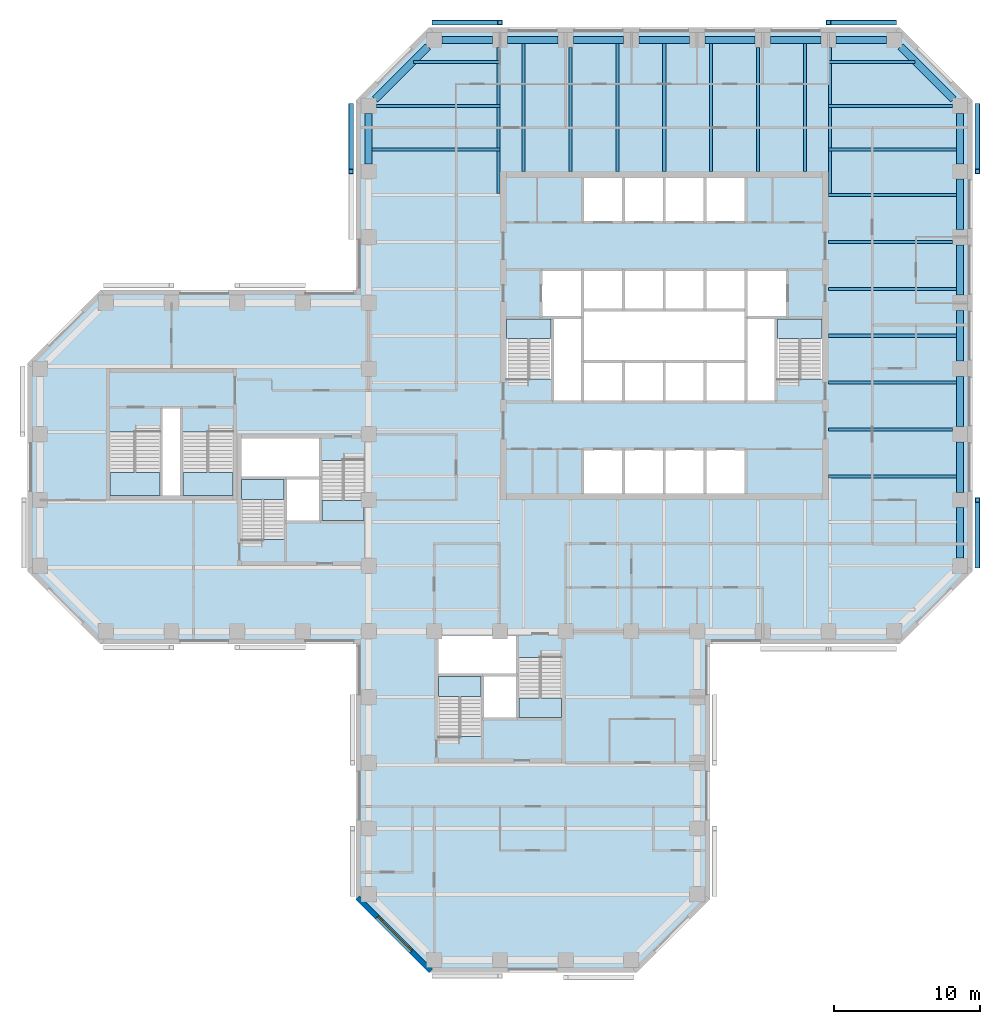
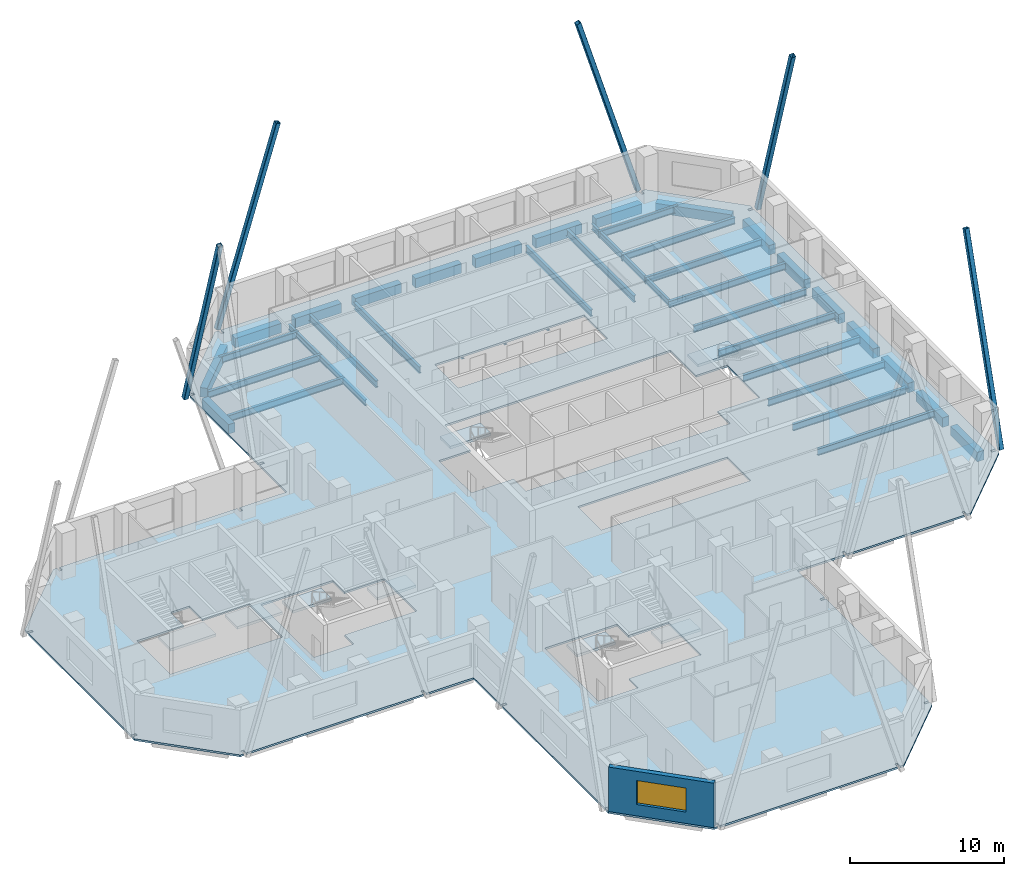
# One storey, part 2 of 10: 39 beams, 9 slabs, 5 members, 1 wall, 1 window, 1 opening, 8 elements without a shape of their own.
"""IFC4 building model written with IfcOpenShell, lengths in metres."""

import ifcopenshell
import ifcopenshell.guid

model = None  # the IFC model being written
_history = None  # IfcOwnerHistory: only IFC2X3 demands one
_inside = {}  # id of a spatial element -> (the spatial element, [elements in it])
_under = {}  # id of a project, library or spatial element -> (it, [spatial elements below it])
_declared = {}  # id of a project -> (the project, [libraries it declares])
_typed = {}  # id of a type object -> (the type object, [elements of that type])
_made_of = {}  # id of a material, layer set ... -> (it, [elements and type objects made of it])


def new_model(schema):
    """Start an empty IFC model of exactly this schema.

    Asked for "IFC4X3", IfcOpenShell would pick the latest addendum, in which some entities
    have other attributes; the version numbers below select the first issue.
    IFC2X3 requires an IfcOwnerHistory on every rooted entity: one is made here for all.
    """
    global model, _history
    if schema == "IFC4X3":
        model = ifcopenshell.file(schema_version=(4, 3, 0, 0))
    else:
        model = ifcopenshell.file(schema=schema)
    _inside.clear()
    _under.clear()
    _declared.clear()
    _typed.clear()
    _made_of.clear()
    _history = None
    if model.schema == "IFC2X3":
        org = make("IfcOrganization", Name="unknown")
        user = make(
            "IfcPersonAndOrganization",
            ThePerson=make("IfcPerson", FamilyName="unknown"),
            TheOrganization=org,
        )
        app = make(
            "IfcApplication",
            ApplicationDeveloper=org,
            Version="unknown",
            ApplicationFullName="unknown",
            ApplicationIdentifier="unknown",
        )
        _history = make(
            "IfcOwnerHistory",
            OwningUser=user,
            OwningApplication=app,
            ChangeAction="ADDED",
            CreationDate=0,
        )
    return model


def make(cls, **values):
    """One entity of the class cls with the attributes given. An attribute that is None is left unset."""
    return model.create_entity(
        cls, **{name: value for name, value in values.items() if value is not None}
    )


def rooted(cls, **values):
    """An entity with a GlobalId (a new one), such as an element, a storey or a relation."""
    return make(cls, GlobalId=ifcopenshell.guid.new(), OwnerHistory=_history, **values)


def si_unit(unit_type, name, prefix=None):
    """IfcSIUnit, for example si_unit("LENGTHUNIT", "METRE", prefix="MILLI")."""
    return make("IfcSIUnit", UnitType=unit_type, Prefix=prefix, Name=name)


def assignment(units):
    """IfcUnitAssignment: the units of a project."""
    return None if units is None else make("IfcUnitAssignment", Units=units)


def point(xyz):
    """IfcCartesianPoint."""
    return None if xyz is None else make("IfcCartesianPoint", Coordinates=xyz)


def direction(xyz):
    """IfcDirection."""
    return None if xyz is None else make("IfcDirection", DirectionRatios=xyz)


def frame(location, z_axis=None, x_axis=None):
    """IfcAxis2Placement3D, a coordinate frame: its origin and axes. An axis left out is left unset."""
    return make(
        "IfcAxis2Placement3D",
        Location=point(location),
        Axis=direction(z_axis),
        RefDirection=direction(x_axis),
    )


def frame_2d(location, x_axis=None):
    """IfcAxis2Placement2D, a coordinate frame in the plane: its origin and x axis."""
    return make(
        "IfcAxis2Placement2D", Location=point(location), RefDirection=direction(x_axis)
    )


def origin():
    """The frame at (0, 0, 0) with its axes left unset."""
    return frame((0.0, 0.0, 0.0))


def origin_2d():
    """The frame at (0, 0) in the plane with its x axis left unset."""
    return frame_2d((0.0, 0.0))


def place(relative_to, where):
    """IfcLocalPlacement: puts the frame where relative to a parent placement (None: the world)."""
    return make(
        "IfcLocalPlacement", PlacementRelTo=relative_to, RelativePlacement=where
    )


def context(
    kind, dimensions, precision=None, world=None, true_north=None, identifier=None
):
    """IfcGeometricRepresentationContext, for example the 3D "Model" context."""
    return make(
        "IfcGeometricRepresentationContext",
        ContextIdentifier=identifier,
        ContextType=kind,
        CoordinateSpaceDimension=dimensions,
        Precision=precision,
        WorldCoordinateSystem=world,
        TrueNorth=true_north,
    )


def subcontext(parent, identifier, kind, view, scale=None):
    """IfcGeometricRepresentationSubContext, for example "Body" below "Model"."""
    return make(
        "IfcGeometricRepresentationSubContext",
        ContextIdentifier=identifier,
        ContextType=kind,
        ParentContext=parent,
        TargetScale=scale,
        TargetView=view,
    )


def project(units=None, contexts=None):
    """IfcProject with its units and contexts."""
    return rooted(
        "IfcProject",
        Name="project",
        RepresentationContexts=contexts,
        UnitsInContext=assignment(units),
    )


def spatial(cls, under=None, at=None, **own):
    """A site, building, storey or space (cls), placed at a placement, below another one or the project."""
    s = rooted(cls, ObjectPlacement=at, **own)
    if under is not None:
        _under.setdefault(under.id(), (under, []))[1].append(s)
    return s


def polyline(points):
    """IfcPolyline through the points."""
    return make("IfcPolyline", Points=[point(p) for p in points])


def profile(cls, at=None, kind="AREA", **sizes):
    """A parametric profile (cls). Its sizes go by their IFC names, for example OverallWidth=200.0."""
    return make(cls, ProfileType=kind, Position=at, **sizes)


def rectangle(**sizes):
    """IfcRectangleProfileDef."""
    return profile("IfcRectangleProfileDef", **sizes)


def hollow_rectangle(**sizes):
    """IfcRectangleHollowProfileDef."""
    return profile("IfcRectangleHollowProfileDef", **sizes)


def i_section(**sizes):
    """IfcIShapeProfileDef."""
    return profile("IfcIShapeProfileDef", **sizes)


def outline(outer, holes=None, kind="AREA"):
    """IfcArbitraryClosedProfileDef: a profile drawn as a closed curve; with holes, ...WithVoids."""
    if holes is None:
        return make("IfcArbitraryClosedProfileDef", ProfileType=kind, OuterCurve=outer)
    return make(
        "IfcArbitraryProfileDefWithVoids",
        ProfileType=kind,
        OuterCurve=outer,
        InnerCurves=holes,
    )


def extrude(swept, where, along, depth):
    """IfcExtrudedAreaSolid: the profile swept, set in the frame where, extruded along a direction by depth."""
    return make(
        "IfcExtrudedAreaSolid",
        SweptArea=swept,
        Position=where,
        ExtrudedDirection=direction(along),
        Depth=depth,
    )


def shape(context_of_items, identifier, shape_type, items):
    """IfcShapeRepresentation: the items that make up one representation, for example the "Body"."""
    return make(
        "IfcShapeRepresentation",
        ContextOfItems=context_of_items,
        RepresentationIdentifier=identifier,
        RepresentationType=shape_type,
        Items=items,
    )


def material(Name=None, Category=None):
    """IfcMaterial."""
    return make("IfcMaterial", Name=Name, Category=Category)


def layer(
    of_material, thickness, ventilated=None, Name=None, Category=None, Priority=None
):
    """IfcMaterialLayer: one layer of a wall or slab, of a material (None: an air gap)."""
    return make(
        "IfcMaterialLayer",
        Material=of_material,
        LayerThickness=thickness,
        IsVentilated=ventilated,
        Name=Name,
        Category=Category,
        Priority=Priority,
    )


def layer_set(layers, Name=None):
    """IfcMaterialLayerSet."""
    return make("IfcMaterialLayerSet", MaterialLayers=layers, LayerSetName=Name)


def constituent(of_material, Name=None, Category=None, fraction=None):
    """IfcMaterialConstituent: one of the materials an element consists of."""
    return make(
        "IfcMaterialConstituent",
        Name=Name,
        Material=of_material,
        Fraction=fraction,
        Category=Category,
    )


def constituent_set(constituents=None, Name=None):
    """IfcMaterialConstituentSet."""
    return make(
        "IfcMaterialConstituentSet", Name=Name, MaterialConstituents=constituents
    )


def material_profile(
    of_material, cross_section, Name=None, Category=None, Priority=None
):
    """IfcMaterialProfile: a cross section and its material."""
    return make(
        "IfcMaterialProfile",
        Name=Name,
        Material=of_material,
        Profile=cross_section,
        Priority=Priority,
        Category=Category,
    )


def profile_set(profiles, Name=None, composite=None):
    """IfcMaterialProfileSet."""
    return make(
        "IfcMaterialProfileSet",
        Name=Name,
        MaterialProfiles=profiles,
        CompositeProfile=composite,
    )


def made_of(thing, what):
    """Note that an element or type object is made of a material, layer set ...; save() writes the relation."""
    if what is not None:
        _made_of.setdefault(what.id(), (what, []))[1].append(thing)
    return thing


def type_object(cls, material=None, **own):
    """A type object (cls), such as IfcWallType, which elements share."""
    return made_of(rooted(cls, **own), material)


def element(
    cls,
    number,
    at=None,
    inside=None,
    cuts=None,
    type_object=None,
    material=None,
    context=None,
    identifier="Body",
    shape_type=None,
    held_by="IfcProductDefinitionShape",
    body=None,
    shapes=None,
    **own,
):
    """One element of the class cls, such as IfcWall. Its Tag is "e" and its number.

    at: its placement. inside: the storey or other place that contains it. cuts: it is an
    opening in that element (IfcRelVoidsElement). A single representation is given by context,
    identifier, shape_type and body (its items); several are given by shapes. held_by: the class
    of the entity that holds the representations. save() writes the other relations.
    """
    e = rooted(cls, Tag="e%d" % number, ObjectPlacement=at, **own)
    if body is not None:
        shapes = [shape(context, identifier, shape_type, body)]
    if shapes is not None:
        e.Representation = make(held_by, Representations=shapes)
    if inside is not None:
        _inside.setdefault(inside.id(), (inside, []))[1].append(e)
    if cuts is not None:
        rooted(
            "IfcRelVoidsElement", RelatingBuildingElement=cuts, RelatedOpeningElement=e
        )
    if type_object is not None:
        _typed.setdefault(type_object.id(), (type_object, []))[1].append(e)
    return made_of(e, material)


def fill(opening, filler):
    """IfcRelFillsElement: the door or window that sits in an opening."""
    return rooted(
        "IfcRelFillsElement",
        RelatingOpeningElement=opening,
        RelatedBuildingElement=filler,
    )


def aggregate(whole, parts):
    """IfcRelAggregates: a whole, such as a stair, and the parts it consists of."""
    return rooted("IfcRelAggregates", RelatingObject=whole, RelatedObjects=parts)


def save(model, path):
    """Write the relations noted so far, then the file.

    IfcRelAggregates (storeys below a building ...), IfcRelContainedInSpatialStructure (elements
    in a storey), IfcRelDefinesByType, IfcRelAssociatesMaterial and IfcRelDeclares: one each for
    every whole, place, type object, material and project.
    """
    for whole, parts in _under.values():
        aggregate(whole, parts)
    for where, things in _inside.values():
        rooted(
            "IfcRelContainedInSpatialStructure",
            RelatedElements=things,
            RelatingStructure=where,
        )
    for kind, things in _typed.values():
        rooted("IfcRelDefinesByType", RelatedObjects=things, RelatingType=kind)
    for what, things in _made_of.values():
        rooted("IfcRelAssociatesMaterial", RelatedObjects=things, RelatingMaterial=what)
    for by, libraries in _declared.values():
        rooted("IfcRelDeclares", RelatingContext=by, RelatedDefinitions=libraries)
    model.write(path)


model = new_model("IFC4")

# Units and contexts
model_context = context("Model", 3, precision=1e-05, world=origin(), true_north=direction((0.0, 1.0)))
body_context = subcontext(model_context, "Body", "Model", "MODEL_VIEW")
ifc_project = project(units=[si_unit("LENGTHUNIT", "METRE"), si_unit("AREAUNIT", "SQUARE_METRE"), si_unit("VOLUMEUNIT", "CUBIC_METRE"), si_unit("PLANEANGLEUNIT", "RADIAN"), si_unit("MASSUNIT", "GRAM", prefix="KILO")], contexts=[model_context])

# Site, building, storey
site_placement = place(None, origin())
site = spatial("IfcSite", under=ifc_project, at=site_placement, CompositionType="ELEMENT")
building_placement = place(site_placement, origin())
building = spatial("IfcBuilding", under=site, at=building_placement, Name="Quoin Convention Tower", CompositionType="ELEMENT")
storey_placement = place(building_placement, frame((0.0, 0.0, 97.39990234375)))
storey = spatial("IfcBuildingStorey", under=building, at=storey_placement, Name="L25", CompositionType="ELEMENT", Elevation=97.39990234375)

# Beams
ifc_material_1 = material(Name="Steel Grade 300", Category="steel")
ifc_material_profile_1 = material_profile(ifc_material_1, i_section(OverallWidth=0.18994140625, OverallDepth=0.4541015625, WebThickness=0.008544921875, FlangeThickness=0.0126953125, FilletRadius=0.011474609375, at=origin_2d()), Name="460UB67.1")
ifc_profile_set_1 = profile_set([ifc_material_profile_1], Name="Steel Grade 300")
beam_type_1 = type_object("IfcBeamType", Name="460UB67.1", PredefinedType="BEAM", material=ifc_profile_set_1)
for number, where, z_axis, x_axis, name in (
    (1, (44.8955078125, 80.47509765625, -0.376953125), (0.0, -1.0, 0.0), (1.0, 0.0, 0.0), "gir-L25-T1NW"),
    (2, (67.6044921875, 80.47509765625, -0.376953125), (0.0, -1.0, 0.0), (1.0, 0.0, 0.0), "gir-L25-T1NE"),
):
    element("IfcBeam", number, at=place(storey_placement, frame(where, z_axis=z_axis, x_axis=x_axis)), inside=storey, type_object=beam_type_1, Name=name, PredefinedType="BEAM", context=body_context, shape_type="SweptSolid", body=[
        extrude(i_section(OverallWidth=0.18994140625, OverallDepth=0.4541015625, WebThickness=0.008544921875, FlangeThickness=0.0126953125, FilletRadius=0.011474609375, at=origin_2d()), origin(), (0.0, 0.0, 1.0), 9.977783203125),
    ])
ifc_material_profile_2 = material_profile(ifc_material_1, i_section(OverallWidth=0.208984375, OverallDepth=0.528076171875, WebThickness=0.009521484375, FlangeThickness=0.01318359375, FilletRadius=0.013916015625, at=origin_2d()), Name="530UB82.0")
ifc_profile_set_2 = profile_set([ifc_material_profile_2], Name="Steel Grade 300")
beam_type_2 = type_object("IfcBeamType", Name="530UB82.0", PredefinedType="BEAM", material=ifc_profile_set_2)
beam_1_placement = place(storey_placement, frame((67.5, 51.107177734375, -0.413818359375), z_axis=(1.0, 0.0, 0.0), x_axis=(0.0, 1.0, 0.0)))
element("IfcBeam", 3, at=beam_1_placement, inside=storey, type_object=beam_type_2, Name="bm-L25-T1E0", PredefinedType="BEAM", context=body_context, shape_type="SweptSolid", body=[
    extrude(i_section(OverallWidth=0.208984375, OverallDepth=0.528076171875, WebThickness=0.009521484375, FlangeThickness=0.01318359375, FilletRadius=0.013916015625, at=origin_2d()), origin(), (0.0, 0.0, 1.0), 8.75),
])
beam_2_placement = place(storey_placement, frame((67.5, 54.3212890625, -0.413818359375), z_axis=(1.0, 0.0, 0.0), x_axis=(0.0, 1.0, 0.0)))
element("IfcBeam", 4, at=beam_2_placement, inside=storey, type_object=beam_type_2, Name="bm-L25-T1E1", PredefinedType="BEAM", context=body_context, shape_type="SweptSolid", body=[
    extrude(i_section(OverallWidth=0.208984375, OverallDepth=0.528076171875, WebThickness=0.009521484375, FlangeThickness=0.01318359375, FilletRadius=0.013916015625, at=origin_2d()), origin(), (0.0, 0.0, 1.0), 8.47509765625),
])
for number, where, z_axis, x_axis, name in (
    (5, (67.5, 57.53564453125, -0.413818359375), (1.0, 0.0, 0.0), (0.0, 1.0, 0.0), "bm-L25-T1E2"),
    (6, (67.5, 60.75, -0.413818359375), (1.0, 0.0, 0.0), (0.0, 1.0, 0.0), "bm-L25-T1E3"),
    (7, (67.5, 63.96435546875, -0.413818359375), (1.0, 0.0, 0.0), (0.0, 1.0, 0.0), "bm-L25-T1E4"),
):
    element("IfcBeam", number, at=place(storey_placement, frame(where, z_axis=z_axis, x_axis=x_axis)), inside=storey, type_object=beam_type_2, Name=name, PredefinedType="BEAM", context=body_context, shape_type="SweptSolid", body=[
        extrude(i_section(OverallWidth=0.208984375, OverallDepth=0.528076171875, WebThickness=0.009521484375, FlangeThickness=0.01318359375, FilletRadius=0.013916015625, at=origin_2d()), origin(), (0.0, 0.0, 1.0), 8.75),
    ])
beam_3_placement = place(storey_placement, frame((67.5, 67.1787109375, -0.413818359375), z_axis=(1.0, 0.0, 0.0), x_axis=(0.0, 1.0, 0.0)))
element("IfcBeam", 8, at=beam_3_placement, inside=storey, type_object=beam_type_2, Name="bm-L25-T1E5", PredefinedType="BEAM", context=body_context, shape_type="SweptSolid", body=[
    extrude(i_section(OverallWidth=0.208984375, OverallDepth=0.528076171875, WebThickness=0.009521484375, FlangeThickness=0.01318359375, FilletRadius=0.013916015625, at=origin_2d()), origin(), (0.0, 0.0, 1.0), 8.47509765625),
])
for number, where, z_axis, x_axis, name in (
    (9, (67.5, 70.392822265625, -0.413818359375), (1.0, 0.0, 0.0), (0.0, 1.0, 0.0), "bm-L25-T1E6"),
    (10, (46.607177734375, 72.0, -0.413818359375), (0.0, 1.0, 0.0), (-1.0, 0.0, 0.0), "bm-L25-T1N0"),
):
    element("IfcBeam", number, at=place(storey_placement, frame(where, z_axis=z_axis, x_axis=x_axis)), inside=storey, type_object=beam_type_2, Name=name, PredefinedType="BEAM", context=body_context, shape_type="SweptSolid", body=[
        extrude(i_section(OverallWidth=0.208984375, OverallDepth=0.528076171875, WebThickness=0.009521484375, FlangeThickness=0.01318359375, FilletRadius=0.013916015625, at=origin_2d()), origin(), (0.0, 0.0, 1.0), 8.75),
    ])
beam_4_placement = place(storey_placement, frame((49.8212890625, 72.0, -0.413818359375), z_axis=(0.0, 1.0, 0.0), x_axis=(-1.0, 0.0, 0.0)))
element("IfcBeam", 11, at=beam_4_placement, inside=storey, type_object=beam_type_2, Name="bm-L25-T1N1", PredefinedType="BEAM", context=body_context, shape_type="SweptSolid", body=[
    extrude(i_section(OverallWidth=0.208984375, OverallDepth=0.528076171875, WebThickness=0.009521484375, FlangeThickness=0.01318359375, FilletRadius=0.013916015625, at=origin_2d()), origin(), (0.0, 0.0, 1.0), 8.47509765625),
])
for number, where, z_axis, x_axis, name in (
    (12, (53.03564453125, 72.0, -0.413818359375), (0.0, 1.0, 0.0), (-1.0, 0.0, 0.0), "bm-L25-T1N2"),
    (13, (56.25, 72.0, -0.413818359375), (0.0, 1.0, 0.0), (-1.0, 0.0, 0.0), "bm-L25-T1N3"),
    (14, (59.46435546875, 72.0, -0.413818359375), (0.0, 1.0, 0.0), (-1.0, 0.0, 0.0), "bm-L25-T1N4"),
):
    element("IfcBeam", number, at=place(storey_placement, frame(where, z_axis=z_axis, x_axis=x_axis)), inside=storey, type_object=beam_type_2, Name=name, PredefinedType="BEAM", context=body_context, shape_type="SweptSolid", body=[
        extrude(i_section(OverallWidth=0.208984375, OverallDepth=0.528076171875, WebThickness=0.009521484375, FlangeThickness=0.01318359375, FilletRadius=0.013916015625, at=origin_2d()), origin(), (0.0, 0.0, 1.0), 8.75),
    ])
beam_5_placement = place(storey_placement, frame((62.6787109375, 72.0, -0.413818359375), z_axis=(0.0, 1.0, 0.0), x_axis=(-1.0, 0.0, 0.0)))
element("IfcBeam", 15, at=beam_5_placement, inside=storey, type_object=beam_type_2, Name="bm-L25-T1N5", PredefinedType="BEAM", context=body_context, shape_type="SweptSolid", body=[
    extrude(i_section(OverallWidth=0.208984375, OverallDepth=0.528076171875, WebThickness=0.009521484375, FlangeThickness=0.01318359375, FilletRadius=0.013916015625, at=origin_2d()), origin(), (0.0, 0.0, 1.0), 8.47509765625),
])
beam_6_placement = place(storey_placement, frame((65.892822265625, 72.0, -0.413818359375), z_axis=(0.0, 1.0, 0.0), x_axis=(-1.0, 0.0, 0.0)))
element("IfcBeam", 16, at=beam_6_placement, inside=storey, type_object=beam_type_2, Name="bm-L25-T1N6", PredefinedType="BEAM", context=body_context, shape_type="SweptSolid", body=[
    extrude(i_section(OverallWidth=0.208984375, OverallDepth=0.528076171875, WebThickness=0.009521484375, FlangeThickness=0.01318359375, FilletRadius=0.013916015625, at=origin_2d()), origin(), (0.0, 0.0, 1.0), 8.75),
])
beam_7_placement = place(storey_placement, frame((39.072265625, 79.5, -0.413818359375), z_axis=(1.0, 0.0, 0.0), x_axis=(0.0, 1.0, 0.0)))
element("IfcBeam", 17, at=beam_7_placement, inside=storey, type_object=beam_type_2, Name="bm-L25-T1NW0", PredefinedType="BEAM", context=body_context, shape_type="SweptSolid", body=[
    extrude(i_section(OverallWidth=0.208984375, OverallDepth=0.528076171875, WebThickness=0.009521484375, FlangeThickness=0.01318359375, FilletRadius=0.013916015625, at=origin_2d()), origin(), (0.0, 0.0, 1.0), 5.927734375),
])
beam_8_placement = place(storey_placement, frame((36.52490234375, 76.5, -0.413818359375), z_axis=(1.0, 0.0, 0.0), x_axis=(0.0, 1.0, 0.0)))
element("IfcBeam", 18, at=beam_8_placement, inside=storey, type_object=beam_type_2, Name="bm-L25-T1NW1", PredefinedType="BEAM", context=body_context, shape_type="SweptSolid", body=[
    extrude(i_section(OverallWidth=0.208984375, OverallDepth=0.528076171875, WebThickness=0.009521484375, FlangeThickness=0.01318359375, FilletRadius=0.013916015625, at=origin_2d()), origin(), (0.0, 0.0, 1.0), 8.47509765625),
])
beam_9_placement = place(storey_placement, frame((36.25, 73.5, -0.413818359375), z_axis=(1.0, 0.0, 0.0), x_axis=(0.0, 1.0, 0.0)))
element("IfcBeam", 19, at=beam_9_placement, inside=storey, type_object=beam_type_2, Name="bm-L25-T1NW2", PredefinedType="BEAM", context=body_context, shape_type="SweptSolid", body=[
    extrude(i_section(OverallWidth=0.208984375, OverallDepth=0.528076171875, WebThickness=0.009521484375, FlangeThickness=0.01318359375, FilletRadius=0.013916015625, at=origin_2d()), origin(), (0.0, 0.0, 1.0), 8.75),
])
beam_10_placement = place(storey_placement, frame((67.5, 79.5, -0.413818359375), z_axis=(1.0, 0.0, 0.0), x_axis=(0.0, 1.0, 0.0)))
element("IfcBeam", 20, at=beam_10_placement, inside=storey, type_object=beam_type_2, Name="bm-L25-T1NE0", PredefinedType="BEAM", context=body_context, shape_type="SweptSolid", body=[
    extrude(i_section(OverallWidth=0.208984375, OverallDepth=0.528076171875, WebThickness=0.009521484375, FlangeThickness=0.01318359375, FilletRadius=0.013916015625, at=origin_2d()), origin(), (0.0, 0.0, 1.0), 5.927734375),
])
beam_11_placement = place(storey_placement, frame((67.5, 76.5, -0.413818359375), z_axis=(1.0, 0.0, 0.0), x_axis=(0.0, 1.0, 0.0)))
element("IfcBeam", 21, at=beam_11_placement, inside=storey, type_object=beam_type_2, Name="bm-L25-T1NE1", PredefinedType="BEAM", context=body_context, shape_type="SweptSolid", body=[
    extrude(i_section(OverallWidth=0.208984375, OverallDepth=0.528076171875, WebThickness=0.009521484375, FlangeThickness=0.01318359375, FilletRadius=0.013916015625, at=origin_2d()), origin(), (0.0, 0.0, 1.0), 8.47509765625),
])
beam_12_placement = place(storey_placement, frame((67.5, 73.5, -0.413818359375), z_axis=(1.0, 0.0, 0.0), x_axis=(0.0, 1.0, 0.0)))
element("IfcBeam", 22, at=beam_12_placement, inside=storey, type_object=beam_type_2, Name="bm-L25-T1NE2", PredefinedType="BEAM", context=body_context, shape_type="SweptSolid", body=[
    extrude(i_section(OverallWidth=0.208984375, OverallDepth=0.528076171875, WebThickness=0.009521484375, FlangeThickness=0.01318359375, FilletRadius=0.013916015625, at=origin_2d()), origin(), (0.0, 0.0, 1.0), 8.75),
])

# Members
ifc_material_2 = material(Name="Steel C450L0", Category="steel")
ifc_material_profile_3 = material_profile(ifc_material_2, hollow_rectangle(XDim=0.35009765625, YDim=0.35009765625, WallThickness=0.01611328125, InnerFilletRadius=0.02392578125, OuterFilletRadius=0.0400390625, at=origin_2d()), Name="350x350x16.0SHS")
ifc_profile_set_3 = profile_set([ifc_material_profile_3], Name="Steel C450L0")
member_type = type_object("IfcMemberType", Name="Exposed brace 350x350x16.0SHS", PredefinedType="BRACE", material=ifc_profile_set_3)
for number, where, z_axis, x_axis, name in (
    (23, (34.800048828125, 76.5, -0.074951171875), (0.0, -0.290903487189, 0.956752403259), (1.0, 0.0, 0.0), "brc-L25-36000_76500-36000_72000"),
    (24, (72.0, 82.199951171875, -0.074951171875), (-0.290903487189, 0.0, 0.956752403259), (0.0, -1.0, 0.0), "brc-L25-72000_81000-67500_81000"),
    (25, (40.5, 82.199951171875, -0.074951171875), (0.290903487189, 0.0, 0.956752403259), (0.0, 1.0, 0.0), "brc-L25-45000_81000-40500_81000"),
    (26, (77.699951171875, 45.0, -0.074951171875), (0.0, 0.290903487189, 0.956752403259), (-1.0, 0.0, 0.0), "brc-L25-76500_45000-76500_49500"),
    (27, (77.699951171875, 76.5, -0.074951171875), (0.0, -0.290903487189, 0.956752403259), (1.0, 0.0, 0.0), "brc-L25-76500_72000-76500_76500"),
):
    element("IfcMember", number, at=place(storey_placement, frame(where, z_axis=z_axis, x_axis=x_axis)), inside=storey, type_object=member_type, Name=name, PredefinedType="BRACE", context=body_context, shape_type="SweptSolid", body=[
        extrude(hollow_rectangle(XDim=0.35009765625, YDim=0.35009765625, WallThickness=0.01611328125, InnerFilletRadius=0.02392578125, OuterFilletRadius=0.0400390625, at=origin_2d()), origin(), (0.0, 0.0, 1.0), 15.468994140625),
    ])

# Beams
ifc_material_3 = material(Name="Concrete C65", Category="concrete")
ifc_material_profile_4 = material_profile(ifc_material_3, rectangle(XDim=0.5, YDim=0.75, at=origin_2d()), Name="RC 500x750")
ifc_profile_set_4 = profile_set([ifc_material_profile_4], Name="Concrete C65")
beam_type_3 = type_object("IfcBeamType", Name="RC 500x750 C65", PredefinedType="SPANDREL", material=ifc_profile_set_4)
for number, where, z_axis, x_axis, name in (
    (28, (76.5, 45.52490234375, -0.52490234375), (0.0, 1.0, 0.0), (-1.0, 0.0, 0.0), "spd-L25-76500_45000-76500_49500"),
    (29, (76.5, 50.02490234375, -0.52490234375), (0.0, 1.0, 0.0), (-1.0, 0.0, 0.0), "spd-L25-76500_49500-76500_54000"),
    (30, (76.5, 54.52490234375, -0.52490234375), (0.0, 1.0, 0.0), (-1.0, 0.0, 0.0), "spd-L25-76500_54000-76500_58500"),
    (31, (76.5, 59.02490234375, -0.52490234375), (0.0, 1.0, 0.0), (-1.0, 0.0, 0.0), "spd-L25-76500_58500-76500_63000"),
    (32, (76.5, 63.52490234375, -0.52490234375), (0.0, 1.0, 0.0), (-1.0, 0.0, 0.0), "spd-L25-76500_63000-76500_67500"),
    (33, (76.5, 68.02490234375, -0.52490234375), (0.0, 1.0, 0.0), (-1.0, 0.0, 0.0), "spd-L25-76500_67500-76500_72000"),
    (34, (76.5, 72.52490234375, -0.52490234375), (0.0, 1.0, 0.0), (-1.0, 0.0, 0.0), "spd-L25-76500_72000-76500_76500"),
):
    element("IfcBeam", number, at=place(storey_placement, frame(where, z_axis=z_axis, x_axis=x_axis)), inside=storey, type_object=beam_type_3, Name=name, PredefinedType="SPANDREL", context=body_context, shape_type="SweptSolid", body=[
        extrude(rectangle(XDim=0.5, YDim=0.75, at=origin_2d()), origin(), (0.0, 0.0, 1.0), 3.4501953125),
    ])
beam_13_placement = place(storey_placement, frame((76.059814453125, 76.940185546875, -0.52490234375), z_axis=(-0.707106781187, 0.707106781187, 0.0), x_axis=(-0.707106781187, -0.707106781187, 0.0)))
element("IfcBeam", 35, at=beam_13_placement, inside=storey, type_object=beam_type_3, Name="spd-L25-76500_76500-72000_81000", PredefinedType="SPANDREL", context=body_context, shape_type="SweptSolid", body=[
    extrude(rectangle(XDim=0.5, YDim=0.75, at=origin_2d()), origin(), (0.0, 0.0, 1.0), 5.118896484375),
])
for number, where, z_axis, x_axis, name in (
    (36, (71.47509765625, 81.0, -0.52490234375), (-1.0, 0.0, 0.0), (0.0, -1.0, 0.0), "spd-L25-72000_81000-67500_81000"),
    (37, (66.97509765625, 81.0, -0.52490234375), (-1.0, 0.0, 0.0), (0.0, -1.0, 0.0), "spd-L25-67500_81000-63000_81000"),
    (38, (62.47509765625, 81.0, -0.52490234375), (-1.0, 0.0, 0.0), (0.0, -1.0, 0.0), "spd-L25-63000_81000-58500_81000"),
    (39, (57.97509765625, 81.0, -0.52490234375), (-1.0, 0.0, 0.0), (0.0, -1.0, 0.0), "spd-L25-58500_81000-54000_81000"),
    (40, (53.47509765625, 81.0, -0.52490234375), (-1.0, 0.0, 0.0), (0.0, -1.0, 0.0), "spd-L25-54000_81000-49500_81000"),
    (41, (48.97509765625, 81.0, -0.52490234375), (-1.0, 0.0, 0.0), (0.0, -1.0, 0.0), "spd-L25-49500_81000-45000_81000"),
    (42, (44.47509765625, 81.0, -0.52490234375), (-1.0, 0.0, 0.0), (0.0, -1.0, 0.0), "spd-L25-45000_81000-40500_81000"),
):
    element("IfcBeam", number, at=place(storey_placement, frame(where, z_axis=z_axis, x_axis=x_axis)), inside=storey, type_object=beam_type_3, Name=name, PredefinedType="SPANDREL", context=body_context, shape_type="SweptSolid", body=[
        extrude(rectangle(XDim=0.5, YDim=0.75, at=origin_2d()), origin(), (0.0, 0.0, 1.0), 3.4501953125),
    ])
beam_14_placement = place(storey_placement, frame((40.059814453125, 80.559814453125, -0.52490234375), z_axis=(-0.707106781187, -0.707106781187, 0.0), x_axis=(0.707106781187, -0.707106781187, 0.0)))
element("IfcBeam", 43, at=beam_14_placement, inside=storey, type_object=beam_type_3, Name="spd-L25-40500_81000-36000_76500", PredefinedType="SPANDREL", context=body_context, shape_type="SweptSolid", body=[
    extrude(rectangle(XDim=0.5, YDim=0.75, at=origin_2d()), origin(), (0.0, 0.0, 1.0), 5.118896484375),
])
beam_15_placement = place(storey_placement, frame((36.0, 75.97509765625, -0.52490234375), z_axis=(0.0, -1.0, 0.0), x_axis=(1.0, 0.0, 0.0)))
element("IfcBeam", 44, at=beam_15_placement, inside=storey, type_object=beam_type_3, Name="spd-L25-36000_76500-36000_72000", PredefinedType="SPANDREL", context=body_context, shape_type="SweptSolid", body=[
    extrude(rectangle(XDim=0.5, YDim=0.75, at=origin_2d()), origin(), (0.0, 0.0, 1.0), 3.4501953125),
])

# Slab
ifc_material_4 = material(Name="Concrete C40", Category="concrete")
ifc_layer_1 = layer(ifc_material_4, 0.14990234375)
ifc_layer_set_1 = layer_set([ifc_layer_1], Name="Concrete C40")
slab_type_1 = type_object("IfcSlabType", Name="COMPOSITE SLAB 150 C40", PredefinedType="FLOOR", material=ifc_layer_set_1)
slab_1_placement = place(storey_placement, frame((0.0, 0.0, -0.14990234375)))
element("IfcSlab", 45, at=slab_1_placement, inside=storey, type_object=slab_type_1, Name="slb-L25", PredefinedType="FLOOR", context=body_context, shape_type="SweptSolid", body=[
    extrude(outline(polyline([(54.3623046875, 17.125), (54.094970703125, 17.125), (54.094970703125, 17.4951171875), (53.905029296875, 17.4951171875), (53.905029296875, 17.125), (40.594970703125, 17.125), (40.594970703125, 17.4951171875), (40.405029296875, 17.4951171875), (40.405029296875, 17.125), (40.1376953125, 17.125), (35.125, 22.1376953125), (35.125, 22.405029296875), (35.4951171875, 22.405029296875), (35.4951171875, 22.594970703125), (35.125, 22.594970703125), (35.125, 35.905029296875), (35.4951171875, 35.905029296875), (35.4951171875, 36.094970703125), (35.125, 36.094970703125), (35.125, 39.625), (31.594970703125, 39.625), (31.594970703125, 39.9951171875), (31.405029296875, 39.9951171875), (31.405029296875, 39.625), (18.094970703125, 39.625), (18.094970703125, 39.9951171875), (17.905029296875, 39.9951171875), (17.905029296875, 39.625), (17.6376953125, 39.625), (12.625, 44.6376953125), (12.625, 44.905029296875), (12.9951171875, 44.905029296875), (12.9951171875, 45.094970703125), (12.625, 45.094970703125), (12.625, 58.405029296875), (12.9951171875, 58.405029296875), (12.9951171875, 58.594970703125), (12.625, 58.594970703125), (12.625, 58.8623046875), (17.6376953125, 63.875), (17.905029296875, 63.875), (17.905029296875, 63.5048828125), (18.094970703125, 63.5048828125), (18.094970703125, 63.875), (31.405029296875, 63.875), (31.405029296875, 63.5048828125), (31.594970703125, 63.5048828125), (31.594970703125, 63.875), (35.125, 63.875), (35.125, 67.405029296875), (35.4951171875, 67.405029296875), (35.4951171875, 67.594970703125), (35.125, 67.594970703125), (35.125, 76.405029296875), (35.4951171875, 76.405029296875), (35.4951171875, 76.594970703125), (35.125, 76.594970703125), (35.125, 76.8623046875), (40.1376953125, 81.875), (40.405029296875, 81.875), (40.405029296875, 81.5048828125), (40.594970703125, 81.5048828125), (40.594970703125, 81.875), (71.905029296875, 81.875), (71.905029296875, 81.5048828125), (72.094970703125, 81.5048828125), (72.094970703125, 81.875), (72.3623046875, 81.875), (77.375, 76.8623046875), (77.375, 76.594970703125), (77.0048828125, 76.594970703125), (77.0048828125, 76.405029296875), (77.375, 76.405029296875), (77.375, 45.094970703125), (77.0048828125, 45.094970703125), (77.0048828125, 44.905029296875), (77.375, 44.905029296875), (77.375, 44.6376953125), (72.3623046875, 39.625), (72.094970703125, 39.625), (72.094970703125, 39.9951171875), (71.905029296875, 39.9951171875), (71.905029296875, 39.625), (63.094970703125, 39.625), (63.094970703125, 39.9951171875), (62.905029296875, 39.9951171875), (62.905029296875, 39.625), (59.375, 39.625), (59.375, 36.094970703125), (59.0048828125, 36.094970703125), (59.0048828125, 35.905029296875), (59.375, 35.905029296875), (59.375, 22.594970703125), (59.0048828125, 22.594970703125), (59.0048828125, 22.405029296875), (59.375, 22.405029296875), (59.375, 22.1376953125), (54.3623046875, 17.125)]), holes=[polyline([(40.800048828125, 37.5), (40.800048828125, 33.300537109375), (43.800048828125, 33.300537109375), (43.800048828125, 34.5), (46.199951171875, 34.5), (49.199951171875, 34.5), (49.199951171875, 38.699462890625), (46.199951171875, 38.699462890625), (46.199951171875, 40.199951171875), (40.800048828125, 40.199951171875), (40.800048828125, 37.5)]), polyline([(32.699951171875, 52.199462890625), (32.699951171875, 53.699951171875), (27.300048828125, 53.699951171875), (27.300048828125, 51.0), (27.300048828125, 46.800537109375), (30.300048828125, 46.800537109375), (30.300048828125, 48.0), (32.699951171875, 48.0), (35.699951171875, 48.0), (35.699951171875, 52.199462890625), (32.699951171875, 52.199462890625)]), polyline([(56.25, 49.949951171875), (59.050048828125, 49.949951171875), (61.85009765625, 49.949951171875), (61.85009765625, 53.0), (59.050048828125, 53.0), (56.25, 53.0), (53.449951171875, 53.0), (50.64990234375, 53.0), (50.64990234375, 49.949951171875), (53.449951171875, 49.949951171875), (56.25, 49.949951171875)]), polyline([(21.800048828125, 54.1494140625), (18.300048828125, 54.1494140625), (18.300048828125, 49.800048828125), (21.800048828125, 49.800048828125), (23.199951171875, 49.800048828125), (26.699951171875, 49.800048828125), (26.699951171875, 54.1494140625), (23.199951171875, 54.1494140625), (23.199951171875, 55.85009765625), (21.800048828125, 55.85009765625), (21.800048828125, 54.1494140625)]), polyline([(48.60009765625, 56.199951171875), (50.64990234375, 56.199951171875), (53.449951171875, 56.199951171875), (56.25, 56.199951171875), (59.050048828125, 56.199951171875), (61.85009765625, 56.199951171875), (63.89990234375, 56.199951171875), (63.89990234375, 57.800537109375), (67.050048828125, 57.800537109375), (67.050048828125, 62.0), (64.699951171875, 62.0), (64.699951171875, 65.300048828125), (61.85009765625, 65.300048828125), (59.050048828125, 65.300048828125), (56.25, 65.300048828125), (53.449951171875, 65.300048828125), (50.64990234375, 65.300048828125), (47.800048828125, 65.300048828125), (47.800048828125, 62.0), (45.449951171875, 62.0), (45.449951171875, 57.800537109375), (48.60009765625, 57.800537109375), (48.60009765625, 56.199951171875)]), polyline([(53.449951171875, 68.5), (56.25, 68.5), (59.050048828125, 68.5), (61.85009765625, 68.5), (61.85009765625, 71.550048828125), (59.050048828125, 71.550048828125), (56.25, 71.550048828125), (53.449951171875, 71.550048828125), (50.64990234375, 71.550048828125), (50.64990234375, 68.5), (53.449951171875, 68.5)])]), origin(), (0.0, 0.0, 1.0), 0.14990234375),
])

# Stair, slab
stair_type_1 = type_object("IfcStairType", Name="Exit stair two-flight 1350", PredefinedType="HALF_TURN_STAIR", material=ifc_material_4)
stair_1_placement = place(storey_placement, origin())
stair_1 = element("IfcStair", 46, at=stair_1_placement, inside=storey, type_object=stair_type_1, Name="SD1 L25", PredefinedType="HALF_TURN_STAIR")
ifc_layer_2 = layer(ifc_material_4, 0.199951171875)
ifc_layer_set_2 = layer_set([ifc_layer_2], Name="Concrete C40")
slab_type_2 = type_object("IfcSlabType", Name="Stair landing 200", PredefinedType="LANDING", material=ifc_layer_set_2)
slab_2_placement = place(storey_placement, frame((0.0, 0.0, 1.79248046875)))
slab_2 = element("IfcSlab", 47, at=slab_2_placement, type_object=slab_type_2, Name="ST1 landing 1", PredefinedType="LANDING", context=body_context, shape_type="SweptSolid", body=[
    extrude(outline(polyline([(45.449951171875, 60.550048828125), (48.5, 60.550048828125), (48.5, 61.89990234375), (45.449951171875, 61.89990234375), (45.449951171875, 60.550048828125)])), origin(), (0.0, 0.0, 1.0), 0.199951171875),
])
aggregate(stair_1, [slab_2])

stair_2_placement = place(storey_placement, origin())
stair_2 = element("IfcStair", 48, at=stair_2_placement, inside=storey, type_object=stair_type_1, Name="SD2 L25", PredefinedType="HALF_TURN_STAIR")
slab_3_placement = place(storey_placement, frame((0.0, 0.0, 1.79248046875)))
slab_3 = element("IfcSlab", 49, at=slab_3_placement, type_object=slab_type_2, Name="ST2 landing 1", PredefinedType="LANDING", context=body_context, shape_type="SweptSolid", body=[
    extrude(outline(polyline([(64.0, 60.550048828125), (67.050048828125, 60.550048828125), (67.050048828125, 61.89990234375), (64.0, 61.89990234375), (64.0, 60.550048828125)])), origin(), (0.0, 0.0, 1.0), 0.199951171875),
])
aggregate(stair_2, [slab_3])

stair_3_placement = place(storey_placement, origin())
stair_3 = element("IfcStair", 50, at=stair_3_placement, inside=storey, type_object=stair_type_1, Name="SD3 L25", PredefinedType="HALF_TURN_STAIR")
slab_4_placement = place(storey_placement, frame((0.0, 0.0, 1.79248046875)))
slab_4 = element("IfcSlab", 51, at=slab_4_placement, type_object=slab_type_2, Name="ST3 landing 1", PredefinedType="LANDING", context=body_context, shape_type="SweptSolid", body=[
    extrude(outline(polyline([(27.300048828125, 49.550048828125), (30.199951171875, 49.550048828125), (30.199951171875, 50.89990234375), (27.300048828125, 50.89990234375), (27.300048828125, 49.550048828125)])), origin(), (0.0, 0.0, 1.0), 0.199951171875),
])
aggregate(stair_3, [slab_4])

stair_4_placement = place(storey_placement, origin())
stair_4 = element("IfcStair", 52, at=stair_4_placement, inside=storey, type_object=stair_type_1, Name="SD4 L25", PredefinedType="HALF_TURN_STAIR")
slab_5_placement = place(storey_placement, frame((0.0, 0.0, 1.79248046875)))
slab_5 = element("IfcSlab", 53, at=slab_5_placement, type_object=slab_type_2, Name="ST4 landing 1", PredefinedType="LANDING", context=body_context, shape_type="SweptSolid", body=[
    extrude(outline(polyline([(35.699951171875, 49.449951171875), (32.800048828125, 49.449951171875), (32.800048828125, 48.10009765625), (35.699951171875, 48.10009765625), (35.699951171875, 49.449951171875)])), origin(), (0.0, 0.0, 1.0), 0.199951171875),
])
aggregate(stair_4, [slab_5])

stair_5_placement = place(storey_placement, origin())
stair_5 = element("IfcStair", 54, at=stair_5_placement, inside=storey, type_object=stair_type_1, Name="SD5 L25", PredefinedType="HALF_TURN_STAIR")
slab_6_placement = place(storey_placement, frame((0.0, 0.0, 1.79248046875)))
slab_6 = element("IfcSlab", 55, at=slab_6_placement, type_object=slab_type_2, Name="ST5 landing 1", PredefinedType="LANDING", context=body_context, shape_type="SweptSolid", body=[
    extrude(outline(polyline([(40.800048828125, 36.050048828125), (43.699951171875, 36.050048828125), (43.699951171875, 37.39990234375), (40.800048828125, 37.39990234375), (40.800048828125, 36.050048828125)])), origin(), (0.0, 0.0, 1.0), 0.199951171875),
])
aggregate(stair_5, [slab_6])

stair_6_placement = place(storey_placement, origin())
stair_6 = element("IfcStair", 56, at=stair_6_placement, inside=storey, type_object=stair_type_1, Name="SD6 L25", PredefinedType="HALF_TURN_STAIR")
slab_7_placement = place(storey_placement, frame((0.0, 0.0, 1.79248046875)))
slab_7 = element("IfcSlab", 57, at=slab_7_placement, type_object=slab_type_2, Name="ST6 landing 1", PredefinedType="LANDING", context=body_context, shape_type="SweptSolid", body=[
    extrude(outline(polyline([(49.199951171875, 35.949951171875), (46.300048828125, 35.949951171875), (46.300048828125, 34.60009765625), (49.199951171875, 34.60009765625), (49.199951171875, 35.949951171875)])), origin(), (0.0, 0.0, 1.0), 0.199951171875),
])
aggregate(stair_6, [slab_7])

stair_type_2 = type_object("IfcStairType", Name="Exit stair two-flight 1600", PredefinedType="HALF_TURN_STAIR", material=ifc_material_4)
stair_7_placement = place(storey_placement, origin())
stair_7 = element("IfcStair", 58, at=stair_7_placement, inside=storey, type_object=stair_type_2, Name="SD11 L25", PredefinedType="HALF_TURN_STAIR")
slab_8_placement = place(storey_placement, frame((0.0, 0.0, 1.79248046875)))
slab_8 = element("IfcSlab", 59, at=slab_8_placement, type_object=slab_type_2, Name="ST11 landing 1", PredefinedType="LANDING", context=body_context, shape_type="SweptSolid", body=[
    extrude(outline(polyline([(21.699951171875, 51.39990234375), (18.300048828125, 51.39990234375), (18.300048828125, 49.800048828125), (21.699951171875, 49.800048828125), (21.699951171875, 51.39990234375)])), origin(), (0.0, 0.0, 1.0), 0.199951171875),
])
aggregate(stair_7, [slab_8])

stair_8_placement = place(storey_placement, origin())
stair_8 = element("IfcStair", 60, at=stair_8_placement, inside=storey, type_object=stair_type_2, Name="SD12 L25", PredefinedType="HALF_TURN_STAIR")
slab_9_placement = place(storey_placement, frame((0.0, 0.0, 1.79248046875)))
slab_9 = element("IfcSlab", 61, at=slab_9_placement, type_object=slab_type_2, Name="ST12 landing 1", PredefinedType="LANDING", context=body_context, shape_type="SweptSolid", body=[
    extrude(outline(polyline([(26.699951171875, 51.39990234375), (23.300048828125, 51.39990234375), (23.300048828125, 49.800048828125), (26.699951171875, 49.800048828125), (26.699951171875, 51.39990234375)])), origin(), (0.0, 0.0, 1.0), 0.199951171875),
])
aggregate(stair_8, [slab_9])

# Wall, opening, window
ifc_material_5 = material(Name="Brick masonry", Category="masonry")
ifc_layer_3 = layer(ifc_material_5, 0.35009765625)
ifc_layer_set_3 = layer_set([ifc_layer_3], Name="Brick masonry")
wall_type = type_object("IfcWallType", Name="Brick facade wall", PredefinedType="STANDARD", material=ifc_layer_set_3)
wall_placement = place(storey_placement, frame((35.248779296875, 22.26123046875, 0.0), z_axis=(0.0, 0.0, 1.0), x_axis=(0.707106781187, -0.707106781187, 0.0)))
wall = element("IfcWall", 62, at=wall_placement, inside=storey, type_object=wall_type, Name="fw-L25-36000_22500", PredefinedType="STANDARD", context=body_context, shape_type="SweptSolid", body=[
    extrude(rectangle(XDim=7.088623046875, YDim=0.35009765625, at=frame_2d((3.54443359375, 0.0))), origin(), (0.0, 0.0, 1.0), 3.525146484375),
])
opening_placement = place(wall_placement, frame((1.894287109375, 0.0, 0.89990234375)))
opening = element("IfcOpeningElement", 63, at=opening_placement, cuts=wall, Name="Opening W-02", PredefinedType="OPENING", context=body_context, shape_type="SweptSolid", body=[
    extrude(rectangle(XDim=3.300048828125, YDim=1.89990234375, at=frame_2d((1.64990234375, 0.949951171875))), frame((0.0, 0.18505859375, 0.0), z_axis=(0.0, -1.0, 0.0), x_axis=(1.0, 0.0, 0.0)), (0.0, 0.0, 1.0), 0.3701171875),
])
ifc_material_6 = material(Name="Aluminium", Category="aluminium")
ifc_constituent_1 = constituent(ifc_material_6, Name="Frame")
ifc_material_7 = material(Name="Insulated glass", Category="glass")
ifc_constituent_2 = constituent(ifc_material_7, Name="Glazing")
ifc_constituent_set = constituent_set(constituents=[ifc_constituent_1, ifc_constituent_2], Name="Aluminium")
window_type = type_object("IfcWindowType", Name="Office window", PartitioningType="DOUBLE_PANEL_VERTICAL", PredefinedType="WINDOW", material=ifc_constituent_set)
window_placement = place(opening_placement, origin())
window = element("IfcWindow", 64, at=window_placement, inside=storey, type_object=window_type, Name="win-L25-37755_19755", OverallHeight=1.89990234375, OverallWidth=3.300048828125, PartitioningType="SINGLE_PANEL", PredefinedType="WINDOW", context=body_context, shape_type="SweptSolid", body=[
    extrude(rectangle(XDim=3.300048828125, YDim=1.89990234375, at=frame_2d((1.64990234375, 0.949951171875))), frame((0.0, 0.0849609375, 0.0), z_axis=(0.0, -1.0, 0.0), x_axis=(1.0, 0.0, 0.0)), (0.0, 0.0, 1.0), 0.06005859375),
])
fill(opening, window)

save(model, "model.ifc")
